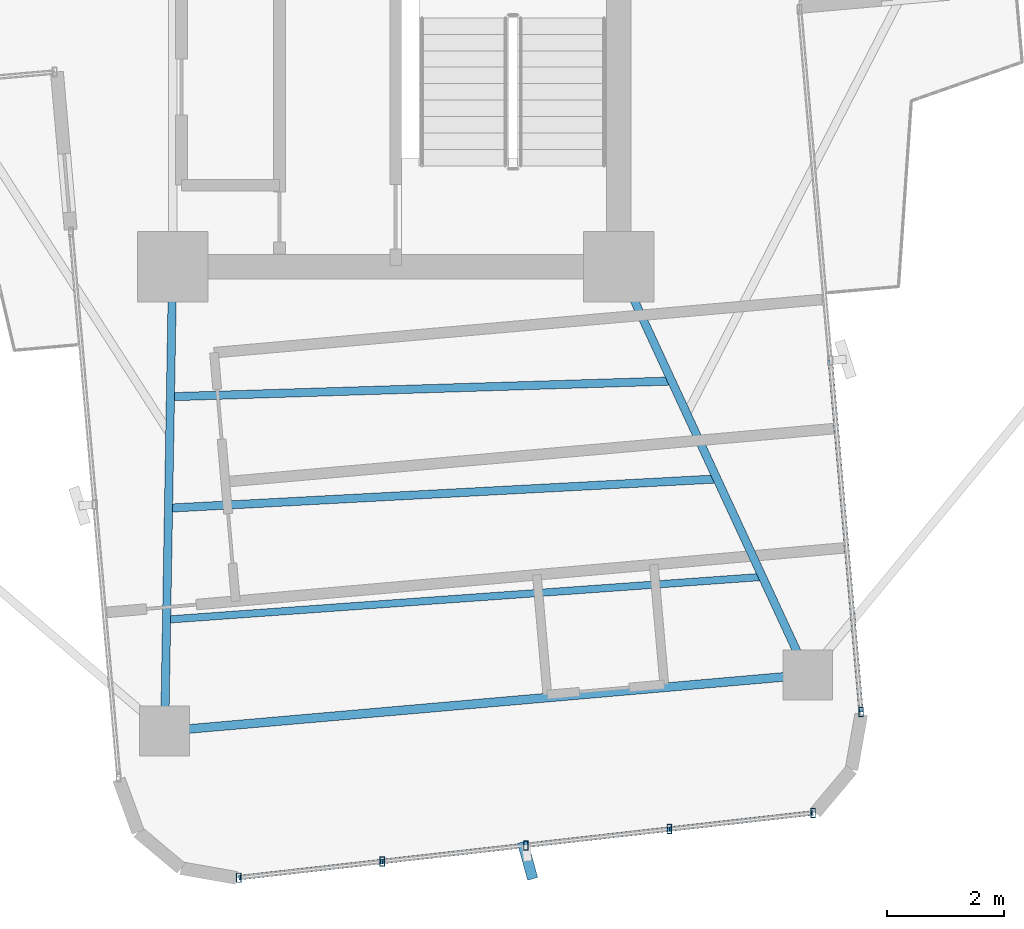
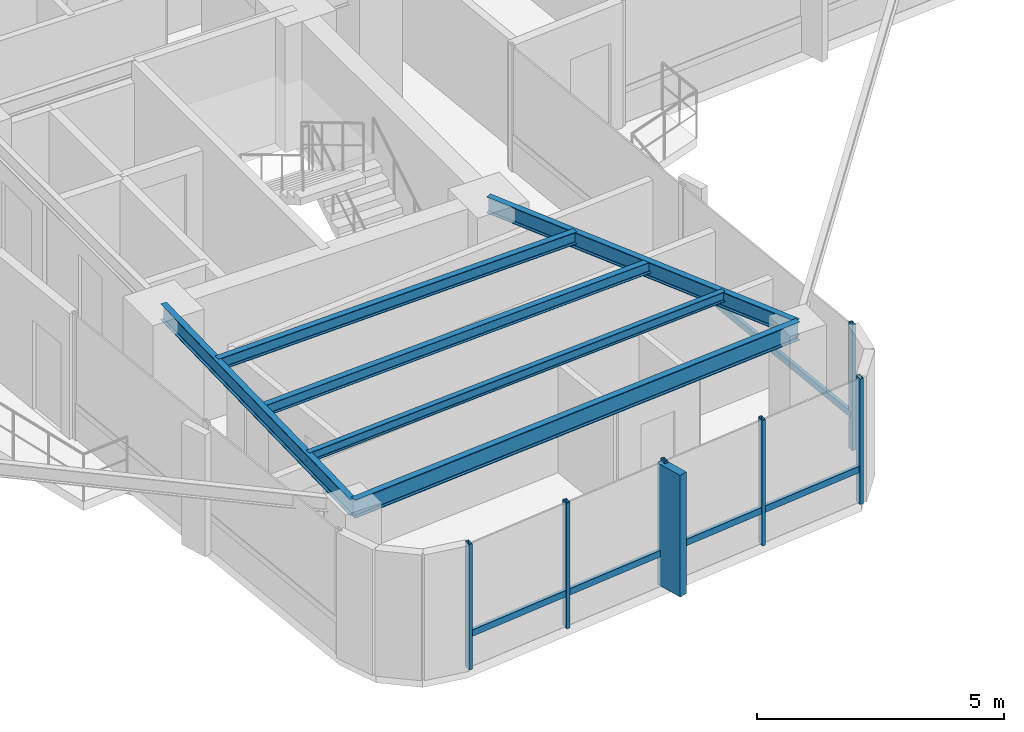
# One storey, part 6 of 24: 12 members, 6 beams, 2 elements without a shape of their own.
"""IFC4 building model written with IfcOpenShell, lengths in metres."""

from ifc_helpers import new_model, si_unit, direction, frame, origin, origin_2d, place, context, subcontext, project, spatial, rectangle, hollow_rectangle, i_section, extrude, source, transform, mapped, material, material_profile, profile_set, type_object, element, aggregate, save


model = new_model("IFC4")

# Units and contexts
model_context = context("Model", 3, precision=1e-05, world=origin(), true_north=direction((0.0, 1.0)))
body_context = subcontext(model_context, "Body", "Model", "MODEL_VIEW")
ifc_project = project(units=[si_unit("LENGTHUNIT", "METRE"), si_unit("AREAUNIT", "SQUARE_METRE"), si_unit("VOLUMEUNIT", "CUBIC_METRE"), si_unit("PLANEANGLEUNIT", "RADIAN"), si_unit("MASSUNIT", "GRAM", prefix="KILO")], contexts=[model_context])

# Site, building, storey
site_placement = place(None, origin())
site = spatial("IfcSite", under=ifc_project, at=site_placement, CompositionType="ELEMENT")
building_placement = place(site_placement, origin())
building = spatial("IfcBuilding", under=site, at=building_placement, Name="Sahyath Konkavel Grand Hotel", CompositionType="ELEMENT")
storey_placement = place(building_placement, frame((0.0, 0.0, 147.25)))
storey = spatial("IfcBuildingStorey", under=building, at=storey_placement, Name="L40", CompositionType="ELEMENT", Elevation=147.25)

# Beams
ifc_material_1 = material(Name="Steel E350", Category="steel")
ifc_material_profile_1 = material_profile(ifc_material_1, i_section(OverallWidth=0.139892578125, OverallDepth=0.39990234375, WebThickness=0.0087890625, FlangeThickness=0.01611328125, FilletRadius=0.013916015625, at=origin_2d()), Name="ISMB 400")
ifc_profile_set_1 = profile_set([ifc_material_profile_1], Name="Steel E350")
beam_type_1 = type_object("IfcBeamType", Name="BM-ISMB400", PredefinedType="BEAM", material=ifc_profile_set_1)
shared_shape_1 = source(origin(), body_context, "Body", "SweptSolid", [
    extrude(i_section(OverallWidth=0.139892578125, OverallDepth=0.39990234375, WebThickness=0.0087890625, FlangeThickness=0.01611328125, FilletRadius=0.013916015625, at=origin_2d()), origin(), (0.0, 0.0, 1.0), 7.913330078125),
])
beam_1_placement = place(storey_placement, frame((-3.800048828125, -10.199951171875, 2.909912109375), z_axis=(-0.017215419232, -0.999851803689, 0.0), x_axis=(0.999851803689, -0.017215419232, 0.0)))
element("IfcBeam", 1, at=beam_1_placement, inside=storey, type_object=beam_type_1, Name="L40 Cruciform Radial Girder SA", PredefinedType="BEAM", context=body_context, shape_type="MappedRepresentation", body=[
    mapped(shared_shape_1, transform((0.0, 0.0, 0.0), scale=1.0)),
])
shared_shape_2 = source(origin(), body_context, "Body", "SweptSolid", [
    extrude(i_section(OverallWidth=0.139892578125, OverallDepth=0.39990234375, WebThickness=0.0087890625, FlangeThickness=0.01611328125, FilletRadius=0.013916015625, at=origin_2d()), origin(), (0.0, 0.0, 1.0), 7.66357421875),
])
beam_2_placement = place(storey_placement, frame((3.800048828125, -10.199951171875, 2.909912109375), z_axis=(0.420395127561, -0.907341135804, 0.0), x_axis=(0.907341135804, 0.420395127561, 0.0)))
element("IfcBeam", 2, at=beam_2_placement, inside=storey, type_object=beam_type_1, Name="L40 Cruciform Radial Girder SB", PredefinedType="BEAM", context=body_context, shape_type="MappedRepresentation", body=[
    mapped(shared_shape_2, transform((0.0, 0.0, 0.0), scale=1.0)),
])
ifc_material_profile_2 = material_profile(ifc_material_1, i_section(OverallWidth=0.14990234375, OverallDepth=0.449951171875, WebThickness=0.009521484375, FlangeThickness=0.017333984375, FilletRadius=0.014892578125, at=origin_2d()), Name="ISMB 450")
ifc_profile_set_2 = profile_set([ifc_material_profile_2], Name="Steel E350")
beam_type_2 = type_object("IfcBeamType", Name="BM-ISMB450", PredefinedType="BEAM", material=ifc_profile_set_2)
shared_shape_3 = source(origin(), body_context, "Body", "SweptSolid", [
    extrude(i_section(OverallWidth=0.14990234375, OverallDepth=0.449951171875, WebThickness=0.009521484375, FlangeThickness=0.017333984375, FilletRadius=0.014892578125, at=origin_2d()), origin(), (0.0, 0.0, 1.0), 10.999755859375),
])
beam_3_placement = place(storey_placement, frame((-3.936279296875, -18.112060546875, 2.885009765625), z_axis=(0.99619439202, 0.087159241098, 0.0), x_axis=(-0.087159241098, 0.99619439202, 0.0)))
element("IfcBeam", 3, at=beam_3_placement, inside=storey, type_object=beam_type_2, Name="L40 Wing Tip Edge Beam S", PredefinedType="BEAM", context=body_context, shape_type="MappedRepresentation", body=[
    mapped(shared_shape_3, transform((0.0, 0.0, 0.0), scale=1.0)),
])
ifc_material_profile_3 = material_profile(ifc_material_1, i_section(OverallWidth=0.139892578125, OverallDepth=0.300048828125, WebThickness=0.0078125, FlangeThickness=0.01318359375, FilletRadius=0.013916015625, at=origin_2d()), Name="ISMB 300")
ifc_profile_set_3 = profile_set([ifc_material_profile_3], Name="Steel E350")
beam_type_3 = type_object("IfcBeamType", Name="BM-ISMB300", PredefinedType="BEAM", material=ifc_profile_set_3)
shared_shape_4 = source(origin(), body_context, "Body", "SweptSolid", [
    extrude(i_section(OverallWidth=0.139892578125, OverallDepth=0.300048828125, WebThickness=0.0078125, FlangeThickness=0.01318359375, FilletRadius=0.013916015625, at=origin_2d()), origin(), (0.0, 0.0, 1.0), 8.54443359375),
])
beam_4_placement = place(storey_placement, frame((-3.838134765625, -12.415283203125, 2.9599609375), z_axis=(0.999506849365, 0.031401561632, 0.0), x_axis=(-0.031401561632, 0.999506849365, 0.0)))
element("IfcBeam", 4, at=beam_4_placement, inside=storey, type_object=beam_type_3, Name="L40 Secondary Floor Beam S-1", PredefinedType="BEAM", context=body_context, shape_type="MappedRepresentation", body=[
    mapped(shared_shape_4, transform((0.0, 0.0, 0.0), scale=1.0)),
])
ifc_material_profile_4 = material_profile(ifc_material_1, i_section(OverallWidth=0.139892578125, OverallDepth=0.27490234375, WebThickness=0.00634765625, FlangeThickness=0.0087890625, FilletRadius=0.012939453125, at=origin_2d()), Name="ISLB 275")
ifc_profile_set_4 = profile_set([ifc_material_profile_4], Name="Steel E350")
beam_type_4 = type_object("IfcBeamType", Name="BM-ISLB275", PredefinedType="BEAM", material=ifc_profile_set_4)
shared_shape_5 = source(origin(), body_context, "Body", "SweptSolid", [
    extrude(i_section(OverallWidth=0.139892578125, OverallDepth=0.27490234375, WebThickness=0.00634765625, FlangeThickness=0.0087890625, FilletRadius=0.012939453125, at=origin_2d()), origin(), (0.0, 0.0, 1.0), 9.359375),
])
beam_5_placement = place(storey_placement, frame((-3.870849609375, -14.314208984375, 2.972412109375), z_axis=(0.998580397723, 0.053265272769, 0.0), x_axis=(-0.053265272769, 0.998580397723, 0.0)))
element("IfcBeam", 5, at=beam_5_placement, inside=storey, type_object=beam_type_4, Name="L40 Secondary Floor Beam S-2", PredefinedType="BEAM", context=body_context, shape_type="MappedRepresentation", body=[
    mapped(shared_shape_5, transform((0.0, 0.0, 0.0), scale=1.0)),
])
ifc_material_profile_5 = material_profile(ifc_material_1, i_section(OverallWidth=0.125, OverallDepth=0.25, WebThickness=0.0068359375, FlangeThickness=0.012451171875, FilletRadius=0.012939453125, at=origin_2d()), Name="ISMB 250")
ifc_profile_set_5 = profile_set([ifc_material_profile_5], Name="Steel E350")
beam_type_5 = type_object("IfcBeamType", Name="BM-ISMB250", PredefinedType="BEAM", material=ifc_profile_set_5)
shared_shape_6 = source(origin(), body_context, "Body", "SweptSolid", [
    extrude(i_section(OverallWidth=0.125, OverallDepth=0.25, WebThickness=0.0068359375, FlangeThickness=0.012451171875, FilletRadius=0.012939453125, at=origin_2d()), origin(), (0.0, 0.0, 1.0), 10.178466796875),
])
beam_6_placement = place(storey_placement, frame((-3.90380859375, -16.213134765625, 2.985107421875), z_axis=(0.997435268886, 0.071574327683, 0.0), x_axis=(-0.071574327683, 0.997435268886, 0.0)))
element("IfcBeam", 6, at=beam_6_placement, inside=storey, type_object=beam_type_5, Name="L40 Secondary Floor Beam S-3", PredefinedType="BEAM", context=body_context, shape_type="MappedRepresentation", body=[
    mapped(shared_shape_6, transform((0.0, 0.0, 0.0), scale=1.0)),
])

# Curtain wall, members
ifc_material_2 = material(Name="Anodised Bronze Aluminium & Low-E Glazing", Category="aluminium")
curtain_wall_type = type_object("IfcCurtainWallType", Name="CW-ZONE3", PredefinedType="NOTDEFINED", material=ifc_material_2)
curtain_wall_1_placement = place(storey_placement, origin())
curtain_wall_1 = element("IfcCurtainWall", 7, at=curtain_wall_1_placement, inside=storey, type_object=curtain_wall_type, Name="L40 Unitised Curtain Wall F28", PredefinedType="NOTDEFINED")
ifc_material_3 = material(Name="Warm Buff Sandstone Cladding on Concrete C50/60", Category="masonry")
ifc_material_profile_6 = material_profile(ifc_material_3, rectangle(XDim=0.179931640625, YDim=0.64990234375, at=origin_2d()), Name="FIN 180x650")
ifc_profile_set_6 = profile_set([ifc_material_profile_6], Name="Warm Buff Sandstone Cladding on Concrete C50/60")
member_type_1 = type_object("IfcMemberType", Name="FIN-SANDSTONE-650", PredefinedType="MULLION", material=ifc_profile_set_6)
shared_shape_7 = source(origin(), body_context, "Body", "SweptSolid", [
    extrude(rectangle(XDim=0.179931640625, YDim=0.64990234375, at=origin_2d()), origin(), (0.0, 0.0, 1.0), 3.010009765625),
])
member_1_placement = place(storey_placement, frame((2.248291015625, -20.3173828125, 0.050048828125), z_axis=(0.0, 0.0, 1.0), x_axis=(0.964326778534, 0.264714684522, 0.0)))
member_1 = element("IfcMember", 8, at=member_1_placement, type_object=member_type_1, Name="L40 Sandstone Vertical Solar Fin FIN F28-2", PredefinedType="MULLION", context=body_context, shape_type="MappedRepresentation", body=[
    mapped(shared_shape_7, transform((0.0, 0.0, 0.0), scale=1.0)),
])
ifc_material_4 = material(Name="Anodised Bronze Aluminium", Category="aluminium")
ifc_material_profile_7 = material_profile(ifc_material_4, hollow_rectangle(XDim=0.080078125, YDim=0.159912109375, WallThickness=0.006103515625, at=origin_2d()), Name="RHS 160x80x6")
ifc_profile_set_7 = profile_set([ifc_material_profile_7], Name="Anodised Bronze Aluminium")
member_type_2 = type_object("IfcMemberType", Name="CW-MUL-160", PredefinedType="MULLION", material=ifc_profile_set_7)
shared_shape_8 = source(origin(), body_context, "Body", "SweptSolid", [
    extrude(hollow_rectangle(XDim=0.080078125, YDim=0.159912109375, WallThickness=0.006103515625, at=origin_2d()), origin(), (0.0, 0.0, 1.0), 3.110107421875),
])
member_2_placement = place(storey_placement, frame((-2.673828125, -20.610595703125, 0.0), z_axis=(0.0, 0.0, 1.0), x_axis=(1.0, 0.0, 0.0)))
member_2 = element("IfcMember", 9, at=member_2_placement, type_object=member_type_2, Name="L40 Curtain Wall Mullion F28-0", PredefinedType="MULLION", context=body_context, shape_type="MappedRepresentation", body=[
    mapped(shared_shape_8, transform((0.0, 0.0, 0.0), scale=1.0)),
])
member_3_placement = place(storey_placement, frame((-0.227294921875, -20.334716796875, 0.0), z_axis=(0.0, 0.0, 1.0), x_axis=(1.0, 0.0, 0.0)))
member_3 = element("IfcMember", 10, at=member_3_placement, type_object=member_type_2, Name="L40 Curtain Wall Mullion F28-1", PredefinedType="MULLION", context=body_context, shape_type="MappedRepresentation", body=[
    mapped(shared_shape_8, transform((0.0, 0.0, 0.0), scale=1.0)),
])
member_4_placement = place(storey_placement, frame((2.21923828125, -20.05908203125, 0.0), z_axis=(0.0, 0.0, 1.0), x_axis=(1.0, 0.0, 0.0)))
member_4 = element("IfcMember", 11, at=member_4_placement, type_object=member_type_2, Name="L40 Curtain Wall Mullion F28-2", PredefinedType="MULLION", context=body_context, shape_type="MappedRepresentation", body=[
    mapped(shared_shape_8, transform((0.0, 0.0, 0.0), scale=1.0)),
])
member_5_placement = place(storey_placement, frame((4.665771484375, -19.783203125, 0.0), z_axis=(0.0, 0.0, 1.0), x_axis=(1.0, 0.0, 0.0)))
member_5 = element("IfcMember", 12, at=member_5_placement, type_object=member_type_2, Name="L40 Curtain Wall Mullion F28-3", PredefinedType="MULLION", context=body_context, shape_type="MappedRepresentation", body=[
    mapped(shared_shape_8, transform((0.0, 0.0, 0.0), scale=1.0)),
])
member_6_placement = place(storey_placement, frame((7.1123046875, -19.507568359375, 0.0), z_axis=(0.0, 0.0, 1.0), x_axis=(1.0, 0.0, 0.0)))
member_6 = element("IfcMember", 13, at=member_6_placement, type_object=member_type_2, Name="L40 Curtain Wall Mullion F28-4", PredefinedType="MULLION", context=body_context, shape_type="MappedRepresentation", body=[
    mapped(shared_shape_8, transform((0.0, 0.0, 0.0), scale=1.0)),
])

# Curtain wall, member
curtain_wall_2_placement = place(storey_placement, origin())
curtain_wall_2 = element("IfcCurtainWall", 14, at=curtain_wall_2_placement, inside=storey, type_object=curtain_wall_type, Name="L40 Unitised Curtain Wall F31", PredefinedType="NOTDEFINED")
member_7_placement = place(storey_placement, frame((7.930419921875, -17.78662109375, 0.0), z_axis=(0.0, 0.0, 1.0), x_axis=(1.0, 0.0, 0.0)))
member_7 = element("IfcMember", 15, at=member_7_placement, type_object=member_type_2, Name="L40 Curtain Wall Mullion F31-0", PredefinedType="MULLION", context=body_context, shape_type="MappedRepresentation", body=[
    mapped(shared_shape_8, transform((0.0, 0.0, 0.0), scale=1.0)),
])

# Member
ifc_material_profile_8 = material_profile(ifc_material_4, hollow_rectangle(XDim=0.080078125, YDim=0.159912109375, WallThickness=0.006103515625, at=origin_2d()), Name="RHS 160x80x6")
ifc_profile_set_8 = profile_set([ifc_material_profile_8], Name="Anodised Bronze Aluminium")
member_type_3 = type_object("IfcMemberType", Name="CW-TRN-160", PredefinedType="USERDEFINED", material=ifc_profile_set_8)
shared_shape_9 = source(origin(), body_context, "Body", "SweptSolid", [
    extrude(hollow_rectangle(XDim=0.080078125, YDim=0.159912109375, WallThickness=0.006103515625, at=origin_2d()), origin(), (0.0, 0.0, 1.0), 2.462158203125),
])
member_8_placement = place(storey_placement, frame((-2.673828125, -20.610595703125, 0.85009765625), z_axis=(0.99370222711, 0.112053040279, 0.0), x_axis=(-0.112053040279, 0.99370222711, 0.0)))
member_8 = element("IfcMember", 16, at=member_8_placement, type_object=member_type_3, Name="L40 Curtain Wall Transom F28-0-spandrel", ObjectType="TRANSOM", PredefinedType="USERDEFINED", context=body_context, shape_type="MappedRepresentation", body=[
    mapped(shared_shape_9, transform((0.0, 0.0, 0.0), scale=1.0)),
])

member_9_placement = place(storey_placement, frame((2.21923828125, -20.05908203125, 0.85009765625), z_axis=(0.99370222711, 0.112053040279, 0.0), x_axis=(-0.112053040279, 0.99370222711, 0.0)))
member_9 = element("IfcMember", 17, at=member_9_placement, type_object=member_type_3, Name="L40 Curtain Wall Transom F28-2-spandrel", ObjectType="TRANSOM", PredefinedType="USERDEFINED", context=body_context, shape_type="MappedRepresentation", body=[
    mapped(shared_shape_9, transform((0.0, 0.0, 0.0), scale=1.0)),
])

shared_shape_10 = source(origin(), body_context, "Body", "SweptSolid", [
    extrude(hollow_rectangle(XDim=0.080078125, YDim=0.159912109375, WallThickness=0.006103515625, at=origin_2d()), origin(), (0.0, 0.0, 1.0), 2.4619140625),
])
member_10_placement = place(storey_placement, frame((-0.227294921875, -20.334716796875, 0.85009765625), z_axis=(0.993713263833, 0.111955121731, 0.0), x_axis=(-0.111955121731, 0.993713263833, 0.0)))
member_10 = element("IfcMember", 18, at=member_10_placement, type_object=member_type_3, Name="L40 Curtain Wall Transom F28-1-spandrel", ObjectType="TRANSOM", PredefinedType="USERDEFINED", context=body_context, shape_type="MappedRepresentation", body=[
    mapped(shared_shape_10, transform((0.0, 0.0, 0.0), scale=1.0)),
])

member_11_placement = place(storey_placement, frame((4.665771484375, -19.783203125, 0.85009765625), z_axis=(0.993713263833, 0.111955121731, 0.0), x_axis=(-0.111955121731, 0.993713263833, 0.0)))
member_11 = element("IfcMember", 19, at=member_11_placement, type_object=member_type_3, Name="L40 Curtain Wall Transom F28-3-spandrel", ObjectType="TRANSOM", PredefinedType="USERDEFINED", context=body_context, shape_type="MappedRepresentation", body=[
    mapped(shared_shape_10, transform((0.0, 0.0, 0.0), scale=1.0)),
])

aggregate(curtain_wall_1, [member_2, member_3, member_4, member_1, member_5, member_6, member_8, member_10, member_9, member_11])

shared_shape_11 = source(origin(), body_context, "Body", "SweptSolid", [
    extrude(hollow_rectangle(XDim=0.080078125, YDim=0.159912109375, WallThickness=0.006103515625, at=origin_2d()), origin(), (0.0, 0.0, 1.0), 6.01025390625),
])
member_12_placement = place(storey_placement, frame((7.930419921875, -17.78662109375, 0.85009765625), z_axis=(-0.087172997156, 0.996193188376, 0.0), x_axis=(-0.996193188376, -0.087172997156, 0.0)))
member_12 = element("IfcMember", 20, at=member_12_placement, type_object=member_type_3, Name="L40 Curtain Wall Transom F31-0-spandrel", ObjectType="TRANSOM", PredefinedType="USERDEFINED", context=body_context, shape_type="MappedRepresentation", body=[
    mapped(shared_shape_11, transform((0.0, 0.0, 0.0), scale=1.0)),
])

aggregate(curtain_wall_2, [member_7, member_12])

save(model, "model.ifc")
